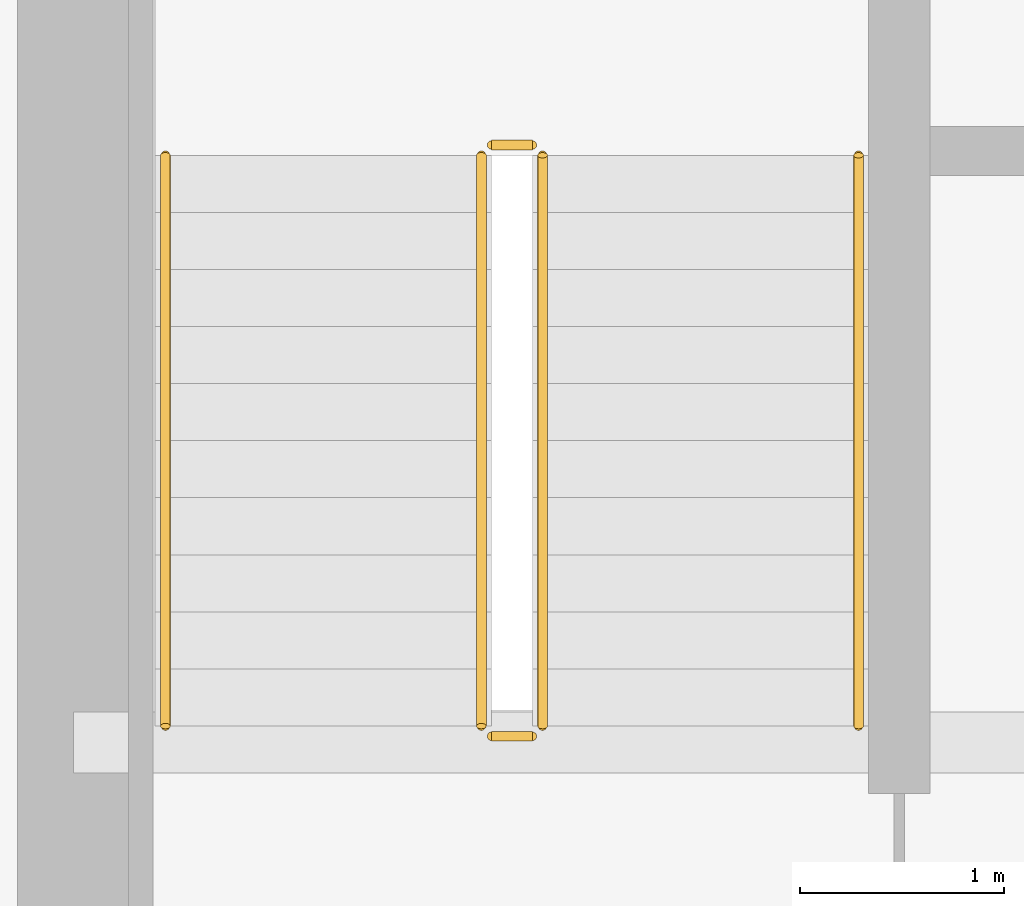
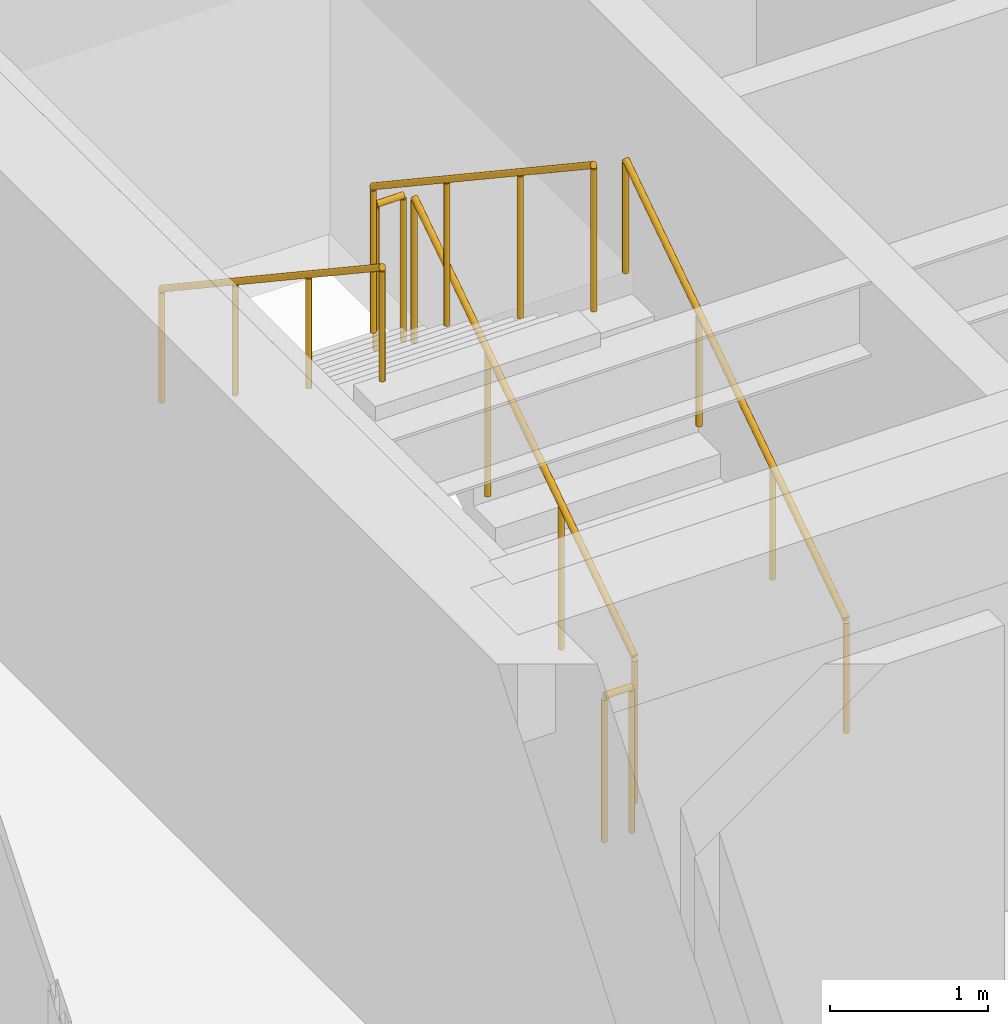
# One storey, part 32 of 33: 6 railings.
"""IFC4 building model written with IfcOpenShell, lengths in metres."""

from ifc_helpers import new_model, si_unit, direction, frame, origin, origin_2d, place, context, subcontext, project, spatial, circle, extrude, source, transform, mapped, material, type_object, type_shapes, element, save


model = new_model("IFC4")

# Units and contexts
model_context = context("Model", 3, precision=1e-05, world=origin(), true_north=direction((0.0, 1.0)))
body_context = subcontext(model_context, "Body", "Model", "MODEL_VIEW")
ifc_project = project(units=[si_unit("LENGTHUNIT", "METRE"), si_unit("AREAUNIT", "SQUARE_METRE"), si_unit("VOLUMEUNIT", "CUBIC_METRE"), si_unit("PLANEANGLEUNIT", "RADIAN"), si_unit("MASSUNIT", "GRAM", prefix="KILO")], contexts=[model_context])

# Site, building, storey
site_placement = place(None, origin())
site = spatial("IfcSite", under=ifc_project, at=site_placement, CompositionType="ELEMENT")
building_placement = place(site_placement, origin())
building = spatial("IfcBuilding", under=site, at=building_placement, Name="Haelvirn Gate Laboratories", CompositionType="ELEMENT")
storey_placement = place(building_placement, frame((0.0, 0.0, 279.300048828125)))
storey = spatial("IfcBuildingStorey", under=building, at=storey_placement, Name="L67", CompositionType="ELEMENT", Elevation=279.300048828125)

# Railings
ifc_material_1 = material(Name="Galvanised steel SM355 & stainless top rail", Category="steel")
railing_type_1 = type_object("IfcRailingType", Name="RL-GUARD-1150", PredefinedType="GUARDRAIL", material=ifc_material_1)
shared_shape_1 = source(origin(), body_context, "Body", "SweptSolid", [
    extrude(circle(Radius=0.02392578125, at=origin_2d()), frame((0.0, 0.0, 1.1259765625), z_axis=(-1.0, 0.0, 0.0), x_axis=(0.0, -1.0, 0.0)), (0.0, 0.0, 1.0), 0.199951171875),
    extrude(circle(Radius=0.02099609375, at=origin_2d()), origin(), (0.0, 0.0, 1.0), 1.101806640625),
    extrude(circle(Radius=0.02099609375, at=origin_2d()), frame((-0.199951171875, 0.0, 0.0)), (0.0, 0.0, 1.0), 1.101806640625),
])
for number, where, name in (
    (1, (9.64990234375, 29.550048828125, 2.050048828125), "L67 ST1 stair guard 2"),
    (2, (9.64990234375, 26.64990234375, 0.0), "L67 ST1 stair guard 4"),
):
    element("IfcRailing", number, at=place(storey_placement, frame(where)), inside=storey, type_object=railing_type_1, Name=name, PredefinedType="GUARDRAIL", context=body_context, shape_type="MappedRepresentation", body=[
        mapped(shared_shape_1, transform((0.0, 0.0, 0.0), scale=1.0)),
    ])
shared_shape_2 = source(origin(), body_context, "Body", "SweptSolid", [
    extrude(circle(Radius=0.02392578125, at=origin_2d()), frame((0.0, 0.0, 1.1259765625), z_axis=(0.0, 0.832452072856, 0.554097055034), x_axis=(-1.0, 0.0, 0.0)), (0.0, 0.0, 1.0), 3.363525390625),
    extrude(circle(Radius=0.02099609375, at=origin_2d()), origin(), (0.0, 0.0, 1.0), 1.101806640625),
    extrude(circle(Radius=0.02099609375, at=origin_2d()), frame((0.0, 0.933349609375, 0.621337890625)), (0.0, 0.0, 1.0), 1.101806640625),
    extrude(circle(Radius=0.02099609375, at=origin_2d()), frame((0.0, 1.86669921875, 1.242431640625)), (0.0, 0.0, 1.0), 1.101806640625),
    extrude(circle(Radius=0.02099609375, at=origin_2d()), frame((0.0, 2.800048828125, 1.86376953125)), (0.0, 0.0, 1.0), 1.101806640625),
])
railing_1_placement = place(storey_placement, frame((9.699951171875, 26.699951171875, 0.186279296875)))
element("IfcRailing", 3, at=railing_1_placement, inside=storey, type_object=railing_type_1, Name="L67 ST1 stair guard 1", PredefinedType="GUARDRAIL", context=body_context, shape_type="MappedRepresentation", body=[
    mapped(shared_shape_2, transform((0.0, 0.0, 0.0), scale=1.0)),
])
shared_shape_3 = source(origin(), body_context, "Body", "SweptSolid", [
    extrude(circle(Radius=0.02392578125, at=origin_2d()), frame((0.0, 0.0, 1.1259765625), z_axis=(0.0, -0.832485552168, 0.554046753832), x_axis=(1.0, 0.0, 0.0)), (0.0, 0.0, 1.0), 3.363525390625),
    extrude(circle(Radius=0.02099609375, at=origin_2d()), origin(), (0.0, 0.0, 1.0), 1.101806640625),
    extrude(circle(Radius=0.02099609375, at=origin_2d()), frame((0.0, -0.933349609375, 0.62109375)), (0.0, 0.0, 1.0), 1.101806640625),
    extrude(circle(Radius=0.02099609375, at=origin_2d()), frame((0.0, -1.86669921875, 1.242431640625)), (0.0, 0.0, 1.0), 1.101806640625),
    extrude(circle(Radius=0.02099609375, at=origin_2d()), frame((0.0, -2.800048828125, 1.863525390625)), (0.0, 0.0, 1.0), 1.101806640625),
])
type_shapes(railing_type_1, [shared_shape_1, shared_shape_2, shared_shape_3])
railing_2_placement = place(storey_placement, frame((9.39990234375, 29.5, 2.236328125)))
element("IfcRailing", 4, at=railing_2_placement, inside=storey, type_object=railing_type_1, Name="L67 ST1 stair guard 3", PredefinedType="GUARDRAIL", context=body_context, shape_type="MappedRepresentation", body=[
    mapped(shared_shape_3, transform((0.0, 0.0, 0.0), scale=1.0)),
])
ifc_material_2 = material(Name="Brushed stainless steel 316L", Category="steel")
railing_type_2 = type_object("IfcRailingType", Name="RL-HAND-920", PredefinedType="HANDRAIL", material=ifc_material_2)
shared_shape_4 = source(origin(), body_context, "Body", "SweptSolid", [
    extrude(circle(Radius=0.02392578125, at=origin_2d()), frame((0.0, 0.0, 0.8759765625), z_axis=(0.0, 0.832452072856, 0.554097055034), x_axis=(-1.0, 0.0, 0.0)), (0.0, 0.0, 1.0), 3.363525390625),
    extrude(circle(Radius=0.02099609375, at=origin_2d()), origin(), (0.0, 0.0, 1.0), 0.851806640625),
    extrude(circle(Radius=0.02099609375, at=origin_2d()), frame((0.0, 0.933349609375, 0.621337890625)), (0.0, 0.0, 1.0), 0.851806640625),
    extrude(circle(Radius=0.02099609375, at=origin_2d()), frame((0.0, 1.86669921875, 1.242431640625)), (0.0, 0.0, 1.0), 0.851806640625),
    extrude(circle(Radius=0.02099609375, at=origin_2d()), frame((0.0, 2.800048828125, 1.86376953125)), (0.0, 0.0, 1.0), 0.851806640625),
])
railing_3_placement = place(storey_placement, frame((11.25, 26.699951171875, 0.186279296875)))
element("IfcRailing", 5, at=railing_3_placement, inside=storey, type_object=railing_type_2, Name="L67 ST1 stair handrail 1", PredefinedType="HANDRAIL", context=body_context, shape_type="MappedRepresentation", body=[
    mapped(shared_shape_4, transform((0.0, 0.0, 0.0), scale=1.0)),
])
shared_shape_5 = source(origin(), body_context, "Body", "SweptSolid", [
    extrude(circle(Radius=0.02392578125, at=origin_2d()), frame((0.0, 0.0, 0.8759765625), z_axis=(0.0, -0.832485552168, 0.554046753832), x_axis=(1.0, 0.0, 0.0)), (0.0, 0.0, 1.0), 3.363525390625),
    extrude(circle(Radius=0.02099609375, at=origin_2d()), origin(), (0.0, 0.0, 1.0), 0.851806640625),
    extrude(circle(Radius=0.02099609375, at=origin_2d()), frame((0.0, -0.933349609375, 0.62109375)), (0.0, 0.0, 1.0), 0.851806640625),
    extrude(circle(Radius=0.02099609375, at=origin_2d()), frame((0.0, -1.86669921875, 1.242431640625)), (0.0, 0.0, 1.0), 0.851806640625),
    extrude(circle(Radius=0.02099609375, at=origin_2d()), frame((0.0, -2.800048828125, 1.863525390625)), (0.0, 0.0, 1.0), 0.851806640625),
])
type_shapes(railing_type_2, [shared_shape_4, shared_shape_5])
railing_4_placement = place(storey_placement, frame((7.85009765625, 29.5, 2.236328125)))
element("IfcRailing", 6, at=railing_4_placement, inside=storey, type_object=railing_type_2, Name="L67 ST1 stair handrail 2", PredefinedType="HANDRAIL", context=body_context, shape_type="MappedRepresentation", body=[
    mapped(shared_shape_5, transform((0.0, 0.0, 0.0), scale=1.0)),
])

save(model, "model.ifc")
